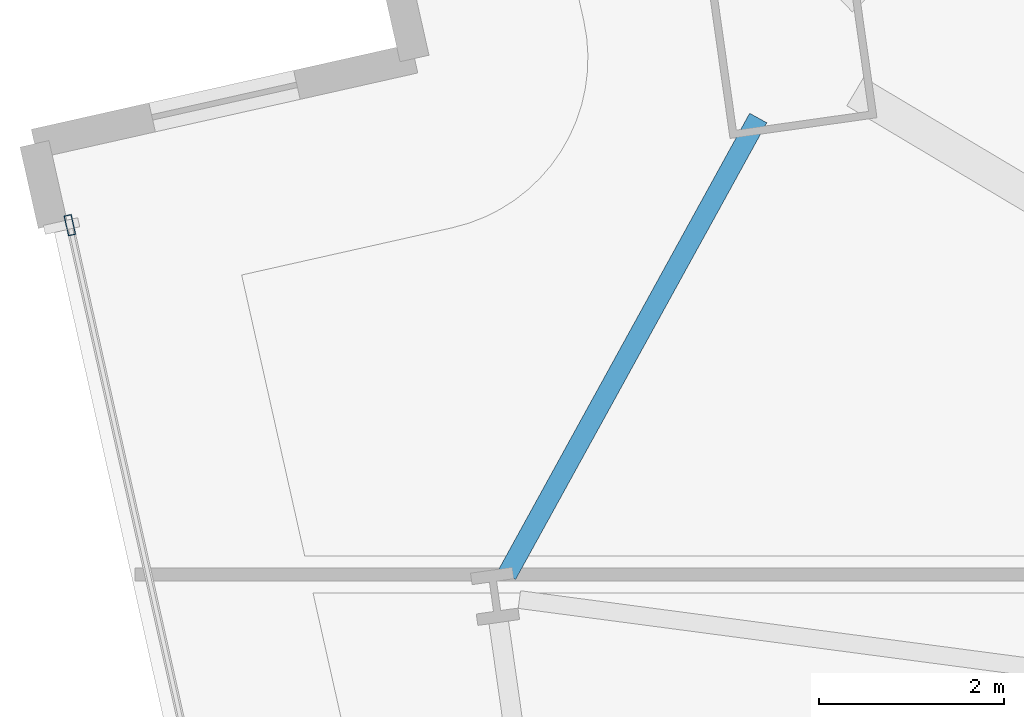
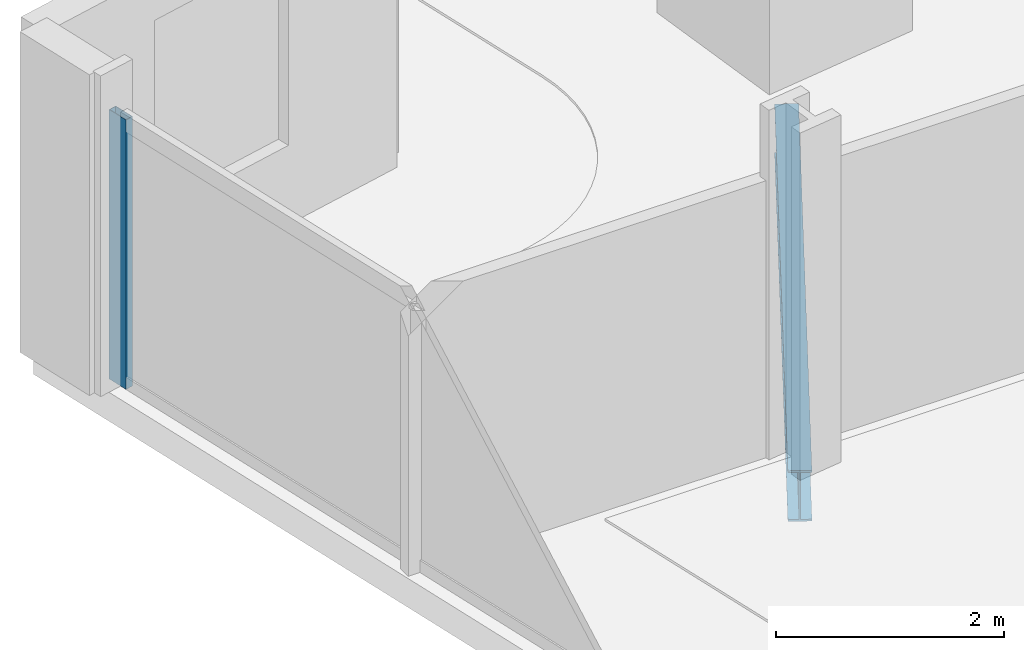
# One storey, part 14 of 32: 1 beam, 1 member, 1 element without a shape of its own.
"""IFC4 building model written with IfcOpenShell, lengths in metres."""

from ifc_helpers import new_model, si_unit, direction, frame, origin, origin_2d, place, context, subcontext, project, spatial, hollow_rectangle, i_section, extrude, material, material_profile, profile_set, type_object, element, aggregate, save


model = new_model("IFC4")

# Units and contexts
model_context = context("Model", 3, precision=1e-05, world=origin(), true_north=direction((0.0, 1.0)))
body_context = subcontext(model_context, "Body", "Model", "MODEL_VIEW")
ifc_project = project(units=[si_unit("LENGTHUNIT", "METRE"), si_unit("AREAUNIT", "SQUARE_METRE"), si_unit("VOLUMEUNIT", "CUBIC_METRE"), si_unit("PLANEANGLEUNIT", "RADIAN"), si_unit("MASSUNIT", "GRAM", prefix="KILO")], contexts=[model_context])

# Site, building, storey
site_placement = place(None, origin())
site = spatial("IfcSite", under=ifc_project, at=site_placement, CompositionType="ELEMENT")
building_placement = place(site_placement, origin())
building = spatial("IfcBuilding", under=site, at=building_placement, Name="Haldenkirk Collegiate Tower", CompositionType="ELEMENT")
storey_placement = place(building_placement, frame((0.0, 0.0, 70.199951171875)))
storey = spatial("IfcBuildingStorey", under=building, at=storey_placement, Name="L16", CompositionType="ELEMENT", Elevation=70.199951171875)

# Beam
ifc_material_1 = material(Name="Steel ASTM A992 Grade 50", Category="steel")
ifc_material_profile_1 = material_profile(ifc_material_1, i_section(OverallWidth=0.2119140625, OverallDepth=0.5439453125, WebThickness=0.01318359375, FlangeThickness=0.021240234375, at=origin_2d()), Name="W21X83")
ifc_profile_set_1 = profile_set([ifc_material_profile_1], Name="Steel ASTM A992 Grade 50")
beam_type = type_object("IfcBeamType", Name="BM-SPANDREL-W21X83", PredefinedType="SPANDREL", material=ifc_profile_set_1)
beam_placement = place(storey_placement, frame((13.10400390625, 41.37109375, -0.58203125), z_axis=(-0.482003753736, -0.876169151126, 0.0), x_axis=(0.876169151126, -0.482003753736, 0.0)))
element("IfcBeam", 1, at=beam_placement, inside=storey, type_object=beam_type, Name="L16 perimeter spandrel beam 13", PredefinedType="SPANDREL", context=body_context, shape_type="SweptSolid", body=[
    extrude(i_section(OverallWidth=0.2119140625, OverallDepth=0.5439453125, WebThickness=0.01318359375, FlangeThickness=0.021240234375, at=origin_2d()), origin(), (0.0, 0.0, 1.0), 5.622802734375),
])

# Curtain wall, member
ifc_material_2 = material(Name="Anodised architectural bronze aluminium", Category="aluminium")
curtain_wall_type = type_object("IfcCurtainWallType", Name="CW-SYS1-CONVEX-LOW", PredefinedType="USERDEFINED", material=ifc_material_2)
curtain_wall_placement = place(storey_placement, origin())
curtain_wall = element("IfcCurtainWall", 2, at=curtain_wall_placement, inside=storey, type_object=curtain_wall_type, Name="L16 Lower tower convex bronze-framed unitised curtain wall", ObjectType="UNITISED CURTAIN WALL", PredefinedType="USERDEFINED")
ifc_material_profile_2 = material_profile(ifc_material_2, hollow_rectangle(XDim=0.080078125, YDim=0.219970703125, WallThickness=0.0048828125, at=origin_2d()), Name="CW-MUL-1A")
ifc_profile_set_2 = profile_set([ifc_material_profile_2], Name="Anodised architectural bronze aluminium")
member_type = type_object("IfcMemberType", Name="CW-MUL-1A", PredefinedType="MULLION", material=ifc_profile_set_2)
member_placement = place(storey_placement, frame((5.680908203125, 40.21533203125, 0.0), z_axis=(0.0, 0.0, 1.0), x_axis=(-0.975726030258, -0.218994780479, 0.0)))
member = element("IfcMember", 3, at=member_placement, type_object=member_type, Name="CW-1A mullion 5", PredefinedType="MULLION", context=body_context, shape_type="SweptSolid", body=[
    extrude(hollow_rectangle(XDim=0.080078125, YDim=0.219970703125, WallThickness=0.0048828125, at=origin_2d()), origin(), (0.0, 0.0, 1.0), 2.89111328125),
])
aggregate(curtain_wall, [member])

save(model, "model.ifc")
